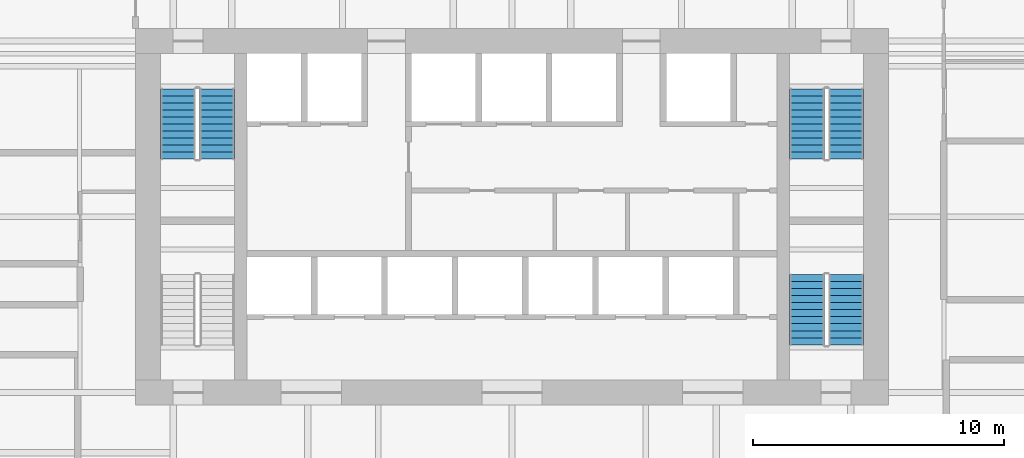
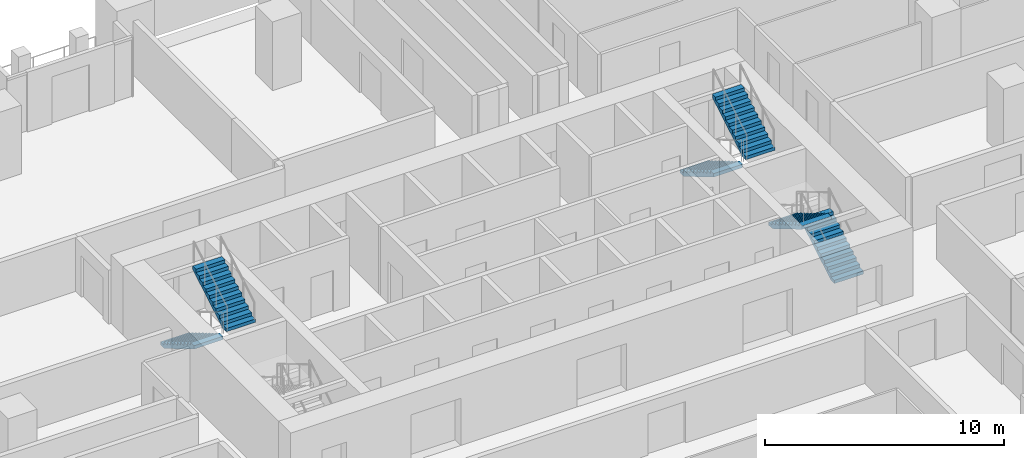
# One storey, part 26 of 31: 6 stair flights, 3 elements without a shape of their own.
"""IFC4 building model written with IfcOpenShell, lengths in metres."""

from ifc_helpers import new_model, si_unit, direction, frame, origin, place, context, subcontext, project, spatial, polyline, outline, extrude, material, type_object, element, aggregate, save


model = new_model("IFC4")

# Units and contexts
model_context = context("Model", 3, precision=1e-05, world=origin(), true_north=direction((0.0, 1.0)))
body_context = subcontext(model_context, "Body", "Model", "MODEL_VIEW")
ifc_project = project(units=[si_unit("LENGTHUNIT", "METRE"), si_unit("AREAUNIT", "SQUARE_METRE"), si_unit("VOLUMEUNIT", "CUBIC_METRE"), si_unit("PLANEANGLEUNIT", "RADIAN"), si_unit("MASSUNIT", "GRAM", prefix="KILO")], contexts=[model_context])

# Site, building, storey
site_placement = place(None, origin())
site = spatial("IfcSite", under=ifc_project, at=site_placement, CompositionType="ELEMENT")
building_placement = place(site_placement, origin())
building = spatial("IfcBuilding", under=site, at=building_placement, Name="Isthmus Gate Tower", CompositionType="ELEMENT")
storey_placement = place(building_placement, frame((0.0, 0.0, 54.25)))
storey = spatial("IfcBuildingStorey", under=building, at=storey_placement, Name="L11", CompositionType="ELEMENT", Elevation=54.25)

# Stair, stair flights
ifc_material_1 = material(Name="Concrete f'c 40 MPa", Category="concrete")
stair_type = type_object("IfcStairType", Name="CORE STAIR 22 RISERS", PredefinedType="HALF_TURN_STAIR", material=ifc_material_1)
stair_1_placement = place(storey_placement, origin())
stair_1 = element("IfcStair", 1, at=stair_1_placement, inside=storey, type_object=stair_type, Name="L11 Exit Stair 1", PredefinedType="HALF_TURN_STAIR")
ifc_material_2 = material(Name="Concrete f'c 40 MPa", Category="concrete")
stair_flight_type = type_object("IfcStairFlightType", Name="STAIR FLIGHT RC 1400", PredefinedType="STRAIGHT", material=ifc_material_2)
stair_flight_1_placement = place(storey_placement, frame((-13.300048828125, 12.60009765625, 0.0), z_axis=(0.0, 0.0, 1.0), x_axis=(0.0, -1.0, 0.0)))
stair_flight_1 = element("IfcStairFlight", 2, at=stair_flight_1_placement, type_object=stair_flight_type, Name="ST1 flight 1", NumberOfRisers=11, NumberOfTreads=10, PredefinedType="STRAIGHT", RiserHeight=0.165909091, TreadLength=0.28, context=body_context, shape_type="SweptSolid", body=[
    extrude(outline(polyline([(0.0, 0.0), (0.0, 0.166015625), (0.280029296875, 0.166015625), (0.280029296875, 0.331787109375), (0.56005859375, 0.331787109375), (0.56005859375, 0.497802734375), (0.840087890625, 0.497802734375), (0.840087890625, 0.66357421875), (1.1201171875, 0.66357421875), (1.1201171875, 0.82958984375), (1.39990234375, 0.82958984375), (1.39990234375, 0.995361328125), (1.679931640625, 0.995361328125), (1.679931640625, 1.161376953125), (1.9599609375, 1.161376953125), (1.9599609375, 1.327392578125), (2.239990234375, 1.327392578125), (2.239990234375, 1.4931640625), (2.52001953125, 1.4931640625), (2.52001953125, 1.6591796875), (2.800048828125, 1.6591796875), (2.800048828125, 1.824951171875), (2.800048828125, 1.48486328125), (0.2939453125, 0.0), (0.0, 0.0)])), frame((0.0, 0.699951171875, 0.0), z_axis=(0.0, -1.0, 0.0), x_axis=(1.0, 0.0, 0.0)), (0.0, 0.0, 1.0), 1.39990234375),
])
stair_flight_2_placement = place(storey_placement, frame((-11.75, 9.800048828125, 1.824951171875), z_axis=(0.0, 0.0, 1.0), x_axis=(0.0, 1.0, 0.0)))
stair_flight_2 = element("IfcStairFlight", 3, at=stair_flight_2_placement, type_object=stair_flight_type, Name="ST1 flight 2", NumberOfRisers=11, NumberOfTreads=10, PredefinedType="STRAIGHT", RiserHeight=0.165909091, TreadLength=0.28, context=body_context, shape_type="SweptSolid", body=[
    extrude(outline(polyline([(0.0, 0.0), (0.0, 0.166015625), (0.280029296875, 0.166015625), (0.280029296875, 0.331787109375), (0.56005859375, 0.331787109375), (0.56005859375, 0.497802734375), (0.840087890625, 0.497802734375), (0.840087890625, 0.66357421875), (1.1201171875, 0.66357421875), (1.1201171875, 0.82958984375), (1.39990234375, 0.82958984375), (1.39990234375, 0.995361328125), (1.679931640625, 0.995361328125), (1.679931640625, 1.161376953125), (1.9599609375, 1.161376953125), (1.9599609375, 1.327392578125), (2.239990234375, 1.327392578125), (2.239990234375, 1.4931640625), (2.52001953125, 1.4931640625), (2.52001953125, 1.6591796875), (2.800048828125, 1.6591796875), (2.800048828125, 1.824951171875), (2.800048828125, 1.48486328125), (0.2939453125, 0.0), (0.0, 0.0)])), frame((0.0, 0.699951171875, 0.0), z_axis=(0.0, -1.0, 0.0), x_axis=(1.0, 0.0, 0.0)), (0.0, 0.0, 1.0), 1.39990234375),
])
aggregate(stair_1, [stair_flight_1, stair_flight_2])

stair_2_placement = place(storey_placement, origin())
stair_2 = element("IfcStair", 4, at=stair_2_placement, inside=storey, type_object=stair_type, Name="L11 Exit Stair 2", PredefinedType="HALF_TURN_STAIR")
stair_flight_3_placement = place(storey_placement, frame((11.75, 12.60009765625, 0.0), z_axis=(0.0, 0.0, 1.0), x_axis=(0.0, -1.0, 0.0)))
stair_flight_3 = element("IfcStairFlight", 5, at=stair_flight_3_placement, type_object=stair_flight_type, Name="ST2 flight 1", NumberOfRisers=11, NumberOfTreads=10, PredefinedType="STRAIGHT", RiserHeight=0.165909091, TreadLength=0.28, context=body_context, shape_type="SweptSolid", body=[
    extrude(outline(polyline([(0.0, 0.0), (0.0, 0.166015625), (0.280029296875, 0.166015625), (0.280029296875, 0.331787109375), (0.56005859375, 0.331787109375), (0.56005859375, 0.497802734375), (0.840087890625, 0.497802734375), (0.840087890625, 0.66357421875), (1.1201171875, 0.66357421875), (1.1201171875, 0.82958984375), (1.39990234375, 0.82958984375), (1.39990234375, 0.995361328125), (1.679931640625, 0.995361328125), (1.679931640625, 1.161376953125), (1.9599609375, 1.161376953125), (1.9599609375, 1.327392578125), (2.239990234375, 1.327392578125), (2.239990234375, 1.4931640625), (2.52001953125, 1.4931640625), (2.52001953125, 1.6591796875), (2.800048828125, 1.6591796875), (2.800048828125, 1.824951171875), (2.800048828125, 1.48486328125), (0.2939453125, 0.0), (0.0, 0.0)])), frame((0.0, 0.699951171875, 0.0), z_axis=(0.0, -1.0, 0.0), x_axis=(1.0, 0.0, 0.0)), (0.0, 0.0, 1.0), 1.39990234375),
])
stair_flight_4_placement = place(storey_placement, frame((13.300048828125, 9.800048828125, 1.824951171875), z_axis=(0.0, 0.0, 1.0), x_axis=(0.0, 1.0, 0.0)))
stair_flight_4 = element("IfcStairFlight", 6, at=stair_flight_4_placement, type_object=stair_flight_type, Name="ST2 flight 2", NumberOfRisers=11, NumberOfTreads=10, PredefinedType="STRAIGHT", RiserHeight=0.165909091, TreadLength=0.28, context=body_context, shape_type="SweptSolid", body=[
    extrude(outline(polyline([(0.0, 0.0), (0.0, 0.166015625), (0.280029296875, 0.166015625), (0.280029296875, 0.331787109375), (0.56005859375, 0.331787109375), (0.56005859375, 0.497802734375), (0.840087890625, 0.497802734375), (0.840087890625, 0.66357421875), (1.1201171875, 0.66357421875), (1.1201171875, 0.82958984375), (1.39990234375, 0.82958984375), (1.39990234375, 0.995361328125), (1.679931640625, 0.995361328125), (1.679931640625, 1.161376953125), (1.9599609375, 1.161376953125), (1.9599609375, 1.327392578125), (2.239990234375, 1.327392578125), (2.239990234375, 1.4931640625), (2.52001953125, 1.4931640625), (2.52001953125, 1.6591796875), (2.800048828125, 1.6591796875), (2.800048828125, 1.824951171875), (2.800048828125, 1.48486328125), (0.2939453125, 0.0), (0.0, 0.0)])), frame((0.0, 0.699951171875, 0.0), z_axis=(0.0, -1.0, 0.0), x_axis=(1.0, 0.0, 0.0)), (0.0, 0.0, 1.0), 1.39990234375),
])
aggregate(stair_2, [stair_flight_3, stair_flight_4])

stair_3_placement = place(storey_placement, origin())
stair_3 = element("IfcStair", 7, at=stair_3_placement, inside=storey, type_object=stair_type, Name="L11 Exit Stair 8", PredefinedType="HALF_TURN_STAIR")
stair_flight_5_placement = place(storey_placement, frame((13.300048828125, 2.39990234375, 0.0), z_axis=(0.0, 0.0, 1.0), x_axis=(0.0, 1.0, 0.0)))
stair_flight_5 = element("IfcStairFlight", 8, at=stair_flight_5_placement, type_object=stair_flight_type, Name="ST8 flight 1", NumberOfRisers=11, NumberOfTreads=10, PredefinedType="STRAIGHT", RiserHeight=0.165909091, TreadLength=0.28, context=body_context, shape_type="SweptSolid", body=[
    extrude(outline(polyline([(0.0, 0.0), (0.0, 0.166015625), (0.280029296875, 0.166015625), (0.280029296875, 0.331787109375), (0.56005859375, 0.331787109375), (0.56005859375, 0.497802734375), (0.840087890625, 0.497802734375), (0.840087890625, 0.66357421875), (1.1201171875, 0.66357421875), (1.1201171875, 0.82958984375), (1.39990234375, 0.82958984375), (1.39990234375, 0.995361328125), (1.679931640625, 0.995361328125), (1.679931640625, 1.161376953125), (1.9599609375, 1.161376953125), (1.9599609375, 1.327392578125), (2.239990234375, 1.327392578125), (2.239990234375, 1.4931640625), (2.52001953125, 1.4931640625), (2.52001953125, 1.6591796875), (2.800048828125, 1.6591796875), (2.800048828125, 1.824951171875), (2.800048828125, 1.48486328125), (0.2939453125, 0.0), (0.0, 0.0)])), frame((0.0, 0.699951171875, 0.0), z_axis=(0.0, -1.0, 0.0), x_axis=(1.0, 0.0, 0.0)), (0.0, 0.0, 1.0), 1.39990234375),
])
stair_flight_6_placement = place(storey_placement, frame((11.75, 5.199951171875, 1.824951171875), z_axis=(0.0, 0.0, 1.0), x_axis=(0.0, -1.0, 0.0)))
stair_flight_6 = element("IfcStairFlight", 9, at=stair_flight_6_placement, type_object=stair_flight_type, Name="ST8 flight 2", NumberOfRisers=11, NumberOfTreads=10, PredefinedType="STRAIGHT", RiserHeight=0.165909091, TreadLength=0.28, context=body_context, shape_type="SweptSolid", body=[
    extrude(outline(polyline([(0.0, 0.0), (0.0, 0.166015625), (0.280029296875, 0.166015625), (0.280029296875, 0.331787109375), (0.56005859375, 0.331787109375), (0.56005859375, 0.497802734375), (0.840087890625, 0.497802734375), (0.840087890625, 0.66357421875), (1.1201171875, 0.66357421875), (1.1201171875, 0.82958984375), (1.39990234375, 0.82958984375), (1.39990234375, 0.995361328125), (1.679931640625, 0.995361328125), (1.679931640625, 1.161376953125), (1.9599609375, 1.161376953125), (1.9599609375, 1.327392578125), (2.239990234375, 1.327392578125), (2.239990234375, 1.4931640625), (2.52001953125, 1.4931640625), (2.52001953125, 1.6591796875), (2.800048828125, 1.6591796875), (2.800048828125, 1.824951171875), (2.800048828125, 1.48486328125), (0.2939453125, 0.0), (0.0, 0.0)])), frame((0.0, 0.699951171875, 0.0), z_axis=(0.0, -1.0, 0.0), x_axis=(1.0, 0.0, 0.0)), (0.0, 0.0, 1.0), 1.39990234375),
])
aggregate(stair_3, [stair_flight_5, stair_flight_6])

save(model, "model.ifc")
